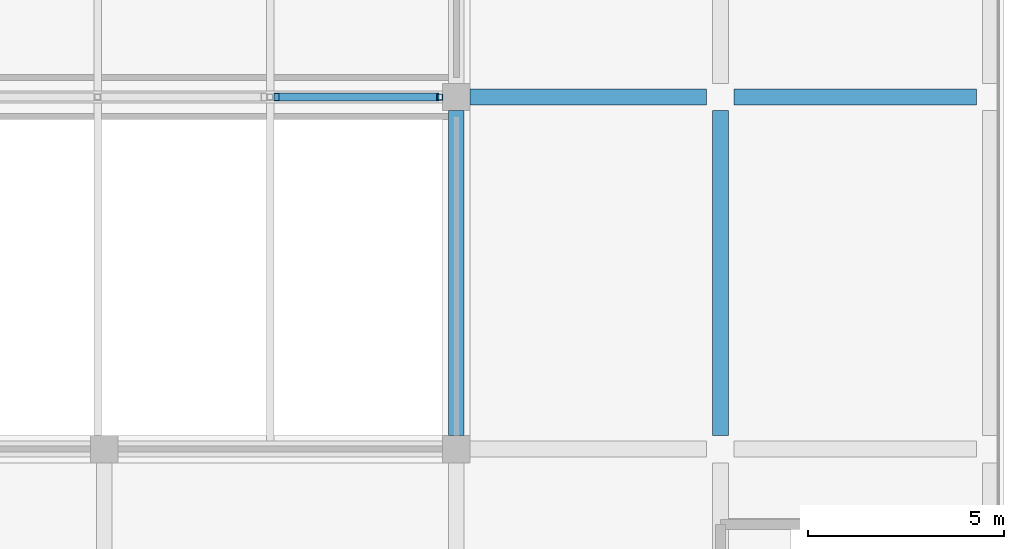
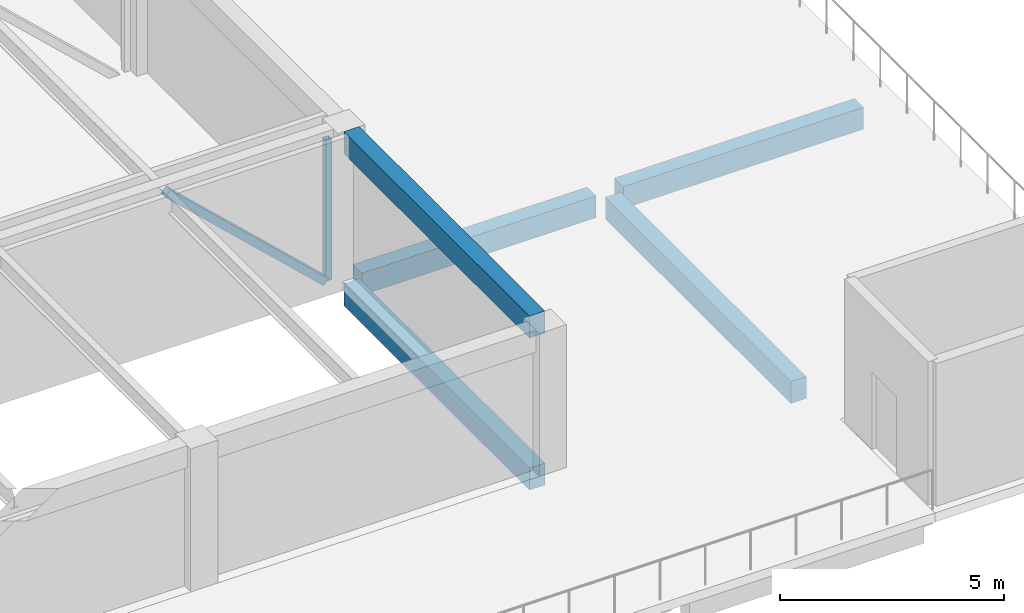
# One storey, part 8 of 30: 5 beams, 2 members.
"""IFC4 building model written with IfcOpenShell, lengths in metres."""

from ifc_helpers import new_model, si_unit, direction, frame, origin, origin_2d, place, context, subcontext, project, spatial, rectangle, hollow_rectangle, extrude, material, material_profile, profile_set, type_object, element, save


model = new_model("IFC4")

# Units and contexts
model_context = context("Model", 3, precision=1e-05, world=origin(), true_north=direction((0.0, 1.0)))
body_context = subcontext(model_context, "Body", "Model", "MODEL_VIEW")
ifc_project = project(units=[si_unit("LENGTHUNIT", "METRE"), si_unit("AREAUNIT", "SQUARE_METRE"), si_unit("VOLUMEUNIT", "CUBIC_METRE"), si_unit("PLANEANGLEUNIT", "RADIAN"), si_unit("MASSUNIT", "GRAM", prefix="KILO")], contexts=[model_context])

# Site, building, storey
site_placement = place(None, origin())
site = spatial("IfcSite", under=ifc_project, at=site_placement, CompositionType="ELEMENT")
building_placement = place(site_placement, origin())
building = spatial("IfcBuilding", under=site, at=building_placement, Name="Corbel Stack Research Tower", CompositionType="ELEMENT")
storey_placement = place(building_placement, frame((0.0, 0.0, 19.5)))
storey = spatial("IfcBuildingStorey", under=building, at=storey_placement, Name="L04", CompositionType="ELEMENT", Elevation=19.5)

# Beams
ifc_material_1 = material(Name="Concrete C40/50", Category="concrete")
ifc_material_profile_1 = material_profile(ifc_material_1, rectangle(XDim=0.39990234375, YDim=0.60009765625, at=origin_2d()), Name="RC 400 x 600")
ifc_profile_set_1 = profile_set([ifc_material_profile_1], Name="Concrete C40/50")
beam_type = type_object("IfcBeamType", Name="HB1 RC beam 400 x 600", PredefinedType="BEAM", material=ifc_profile_set_1)
beam_1_placement = place(storey_placement, frame((86.949951171875, -17.64990234375, -0.550048828125), z_axis=(0.0, 1.0, 0.0), x_axis=(-1.0, 0.0, 0.0)))
element("IfcBeam", 1, at=beam_1_placement, inside=storey, type_object=beam_type, Name="Floor beam L04 H7HB-H7HC", PredefinedType="BEAM", context=body_context, shape_type="SweptSolid", body=[
    extrude(rectangle(XDim=0.39990234375, YDim=0.60009765625, at=origin_2d()), origin(), (0.0, 0.0, 1.0), 8.2998046875),
])
beam_2_placement = place(storey_placement, frame((87.300048828125, -9.0, -0.550048828125), z_axis=(1.0, 0.0, 0.0), x_axis=(0.0, 1.0, 0.0)))
element("IfcBeam", 2, at=beam_2_placement, inside=storey, type_object=beam_type, Name="Floor beam L04 H7HC-H8HC", PredefinedType="BEAM", context=body_context, shape_type="SweptSolid", body=[
    extrude(rectangle(XDim=0.39990234375, YDim=0.60009765625, at=origin_2d()), origin(), (0.0, 0.0, 1.0), 6.050048828125),
])
beam_3_placement = place(storey_placement, frame((93.699951171875, -17.64990234375, -0.550048828125), z_axis=(0.0, 1.0, 0.0), x_axis=(-1.0, 0.0, 0.0)))
element("IfcBeam", 3, at=beam_3_placement, inside=storey, type_object=beam_type, Name="Floor beam L04 H8HB-H8HC", PredefinedType="BEAM", context=body_context, shape_type="SweptSolid", body=[
    extrude(rectangle(XDim=0.39990234375, YDim=0.60009765625, at=origin_2d()), origin(), (0.0, 0.0, 1.0), 8.2998046875),
])
beam_4_placement = place(storey_placement, frame((94.050048828125, -9.0, -0.550048828125), z_axis=(1.0, 0.0, 0.0), x_axis=(0.0, 1.0, 0.0)))
element("IfcBeam", 4, at=beam_4_placement, inside=storey, type_object=beam_type, Name="Floor beam L04 H8HC-H9HC", PredefinedType="BEAM", context=body_context, shape_type="SweptSolid", body=[
    extrude(rectangle(XDim=0.39990234375, YDim=0.60009765625, at=origin_2d()), origin(), (0.0, 0.0, 1.0), 6.199951171875),
])
beam_5_placement = place(storey_placement, frame((86.949951171875, -17.64990234375, 3.60009765625), z_axis=(0.0, 1.0, 0.0), x_axis=(-1.0, 0.0, 0.0)))
element("IfcBeam", 5, at=beam_5_placement, inside=storey, type_object=beam_type, Name="Floor beam R H7HB-H7HC", PredefinedType="BEAM", context=body_context, shape_type="SweptSolid", body=[
    extrude(rectangle(XDim=0.39990234375, YDim=0.60009765625, at=origin_2d()), origin(), (0.0, 0.0, 1.0), 8.2998046875),
])

# Members
ifc_material_2 = material(Name="Steel S355", Category="steel")
ifc_material_profile_2 = material_profile(ifc_material_2, hollow_rectangle(XDim=0.202880859375, YDim=0.202880859375, WallThickness=0.0087890625, at=origin_2d()), Name="HSS8x8x3/8")
ifc_profile_set_2 = profile_set([ifc_material_profile_2], Name="Steel S355")
member_type_1 = type_object("IfcMemberType", Name="HT2 truss diagonal HSS8x8x3/8", PredefinedType="BRACE", material=ifc_profile_set_2)
member_1_placement = place(storey_placement, frame((82.349609375, -9.0, 3.594970703125), z_axis=(0.728438769744, 0.0, -0.685110909805), x_axis=(0.0, 1.0, 0.0)))
element("IfcMember", 6, at=member_1_placement, inside=storey, type_object=member_type_1, Name="Truss TB1 diagonal 8", PredefinedType="BRACE", context=body_context, shape_type="SweptSolid", body=[
    extrude(hollow_rectangle(XDim=0.202880859375, YDim=0.202880859375, WallThickness=0.0087890625, at=origin_2d()), origin(), (0.0, 0.0, 1.0), 5.6123046875),
])
ifc_material_3 = material(Name="Steel S355", Category="steel")
ifc_material_profile_3 = material_profile(ifc_material_3, hollow_rectangle(XDim=0.152099609375, YDim=0.152099609375, WallThickness=0.005859375, at=origin_2d()), Name="HSS6x6x1/4")
ifc_profile_set_3 = profile_set([ifc_material_profile_3], Name="Steel S355")
member_type_2 = type_object("IfcMemberType", Name="HT3 truss post HSS6x6x1/4", PredefinedType="POST", material=ifc_profile_set_3)
member_2_placement = place(storey_placement, frame((86.52392578125, -9.0, -0.25), z_axis=(0.0, 0.0, 1.0), x_axis=(1.0, 0.0, 0.0)))
element("IfcMember", 7, at=member_2_placement, inside=storey, type_object=member_type_2, Name="Truss TB1 post 9", PredefinedType="POST", context=body_context, shape_type="SweptSolid", body=[
    extrude(hollow_rectangle(XDim=0.152099609375, YDim=0.152099609375, WallThickness=0.005859375, at=origin_2d()), origin(), (0.0, 0.0, 1.0), 3.844970703125),
])

save(model, "model.ifc")
